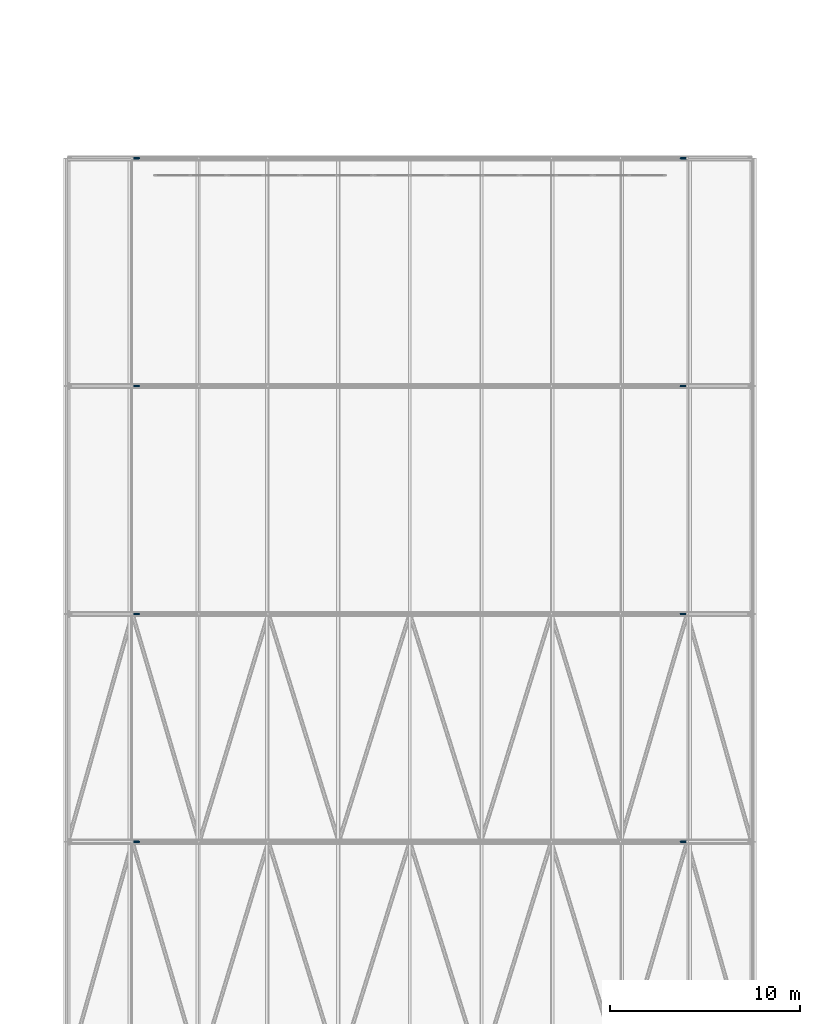
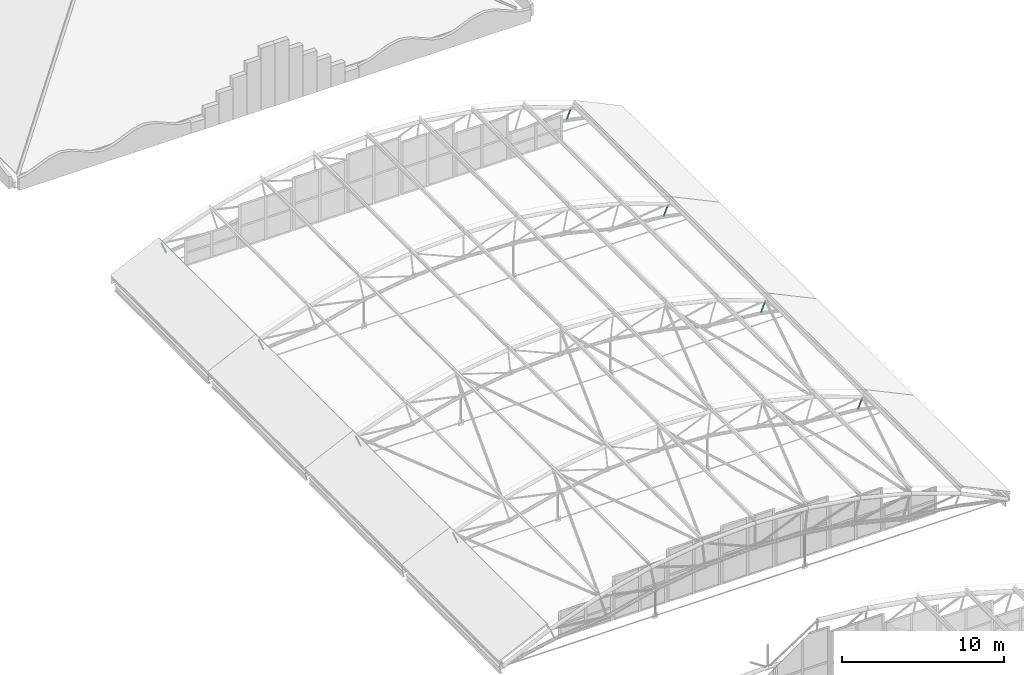
# One storey, part 245 of 321: 8 members.
"""IFC4 building model written with IfcOpenShell, lengths in metres."""

from ifc_helpers import new_model, si_unit, direction, frame, origin, origin_2d, place, context, subcontext, project, spatial, hollow_circle, extrude, material, material_profile, profile_set, type_object, element, save


model = new_model("IFC4")

# Units and contexts
model_context = context("Model", 3, precision=1e-05, world=origin(), true_north=direction((0.0, 1.0)))
body_context = subcontext(model_context, "Body", "Model", "MODEL_VIEW")
ifc_project = project(units=[si_unit("LENGTHUNIT", "METRE"), si_unit("AREAUNIT", "SQUARE_METRE"), si_unit("VOLUMEUNIT", "CUBIC_METRE"), si_unit("PLANEANGLEUNIT", "RADIAN"), si_unit("MASSUNIT", "GRAM", prefix="KILO")], contexts=[model_context])

# Site, building, storey
site_placement = place(None, origin())
site = spatial("IfcSite", under=ifc_project, at=site_placement, CompositionType="ELEMENT")
building_placement = place(site_placement, origin())
building = spatial("IfcBuilding", under=site, at=building_placement, Name="Ravi Spectrum Wholesale Market", CompositionType="ELEMENT")
storey_placement = place(building_placement, frame((0.0, 0.0, 10.800048828125)))
storey = spatial("IfcBuildingStorey", under=building, at=storey_placement, Name="L02", CompositionType="ELEMENT", Elevation=10.800048828125)

# Members
ifc_material = material(Name="Steel S355", Category="steel")
ifc_material_profile = material_profile(ifc_material, hollow_circle(Radius=0.05712890625, WallThickness=0.00390625, at=origin_2d()))
ifc_profile_set = profile_set([ifc_material_profile], Name="Steel S355")
member_type = type_object("IfcMemberType", Name="CHS 114.3x4 post", PredefinedType="POST", material=ifc_profile_set)
for number, where, z_axis, x_axis, name in (
    (1, (165.38818359375, 150.0, 1.59912109375), (0.382168117356, 0.0, -0.924092814644), (0.0, 1.0, 0.0), "H3-MB-L02-061"),
    (2, (194.61181640625, 150.0, 1.59912109375), (-0.382168117356, 0.0, -0.924092814644), (0.0, -1.0, 0.0), "H3-MB-L02-069"),
    (3, (165.38818359375, 162.0, 1.59912109375), (0.382168117356, 0.0, -0.924092814644), (0.0, 1.0, 0.0), "H3-MB-L02-101"),
    (4, (194.61181640625, 162.0, 1.59912109375), (-0.382168117356, 0.0, -0.924092814644), (0.0, -1.0, 0.0), "H3-MB-L02-109"),
    (5, (165.38818359375, 174.0, 1.59912109375), (0.382168117356, 0.0, -0.924092814644), (0.0, 1.0, 0.0), "H3-MB-L02-141"),
    (6, (194.61181640625, 174.0, 1.59912109375), (-0.382168117356, 0.0, -0.924092814644), (0.0, -1.0, 0.0), "H3-MB-L02-149"),
    (7, (165.38818359375, 186.0, 1.59912109375), (0.382168117356, 0.0, -0.924092814644), (0.0, 1.0, 0.0), "H3-MB-L02-181"),
    (8, (194.61181640625, 186.0, 1.59912109375), (-0.382168117356, 0.0, -0.924092814644), (0.0, -1.0, 0.0), "H3-MB-L02-189"),
):
    element("IfcMember", number, at=place(storey_placement, frame(where, z_axis=z_axis, x_axis=x_axis)), inside=storey, type_object=member_type, Name=name, PredefinedType="POST", context=body_context, shape_type="SweptSolid", body=[
        extrude(hollow_circle(Radius=0.05712890625, WallThickness=0.00390625, at=origin_2d()), origin(), (0.0, 0.0, 1.0), 0.900146484375),
    ])

save(model, "model.ifc")
